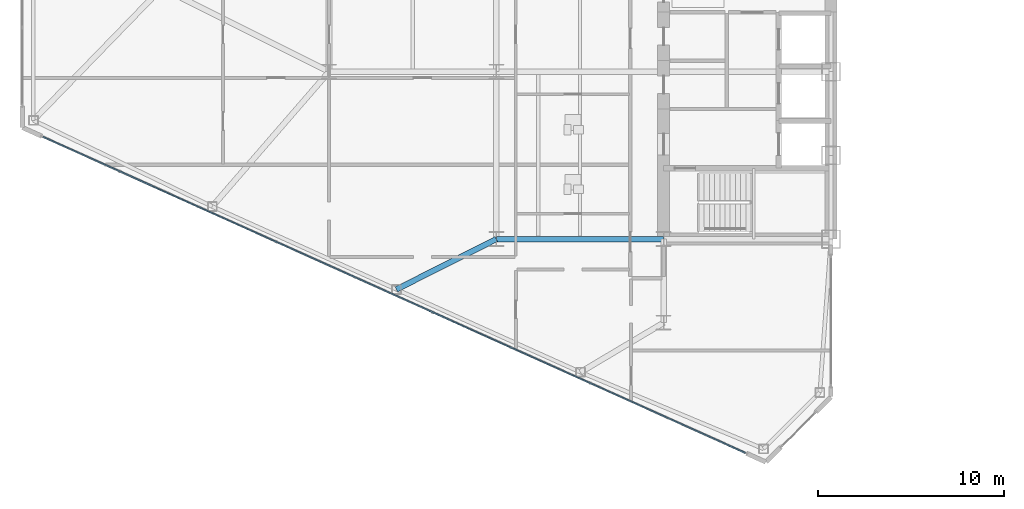
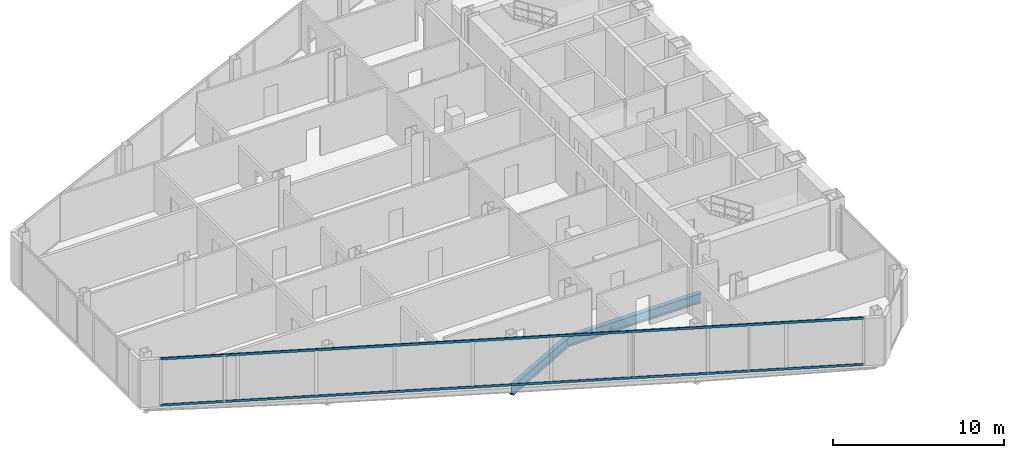
# One storey, part 4 of 27: 2 beams, 2 members, 1 element without a shape of its own.
"""IFC4 building model written with IfcOpenShell, lengths in metres."""

from ifc_helpers import new_model, si_unit, direction, frame, origin, origin_2d, place, context, subcontext, project, spatial, rectangle, i_section, extrude, source, transform, mapped, material, layer, layer_set, material_profile, profile_set, type_object, type_shapes, element, aggregate, save


model = new_model("IFC4")

# Units and contexts
model_context = context("Model", 3, precision=1e-05, world=origin(), true_north=direction((0.0, 1.0)))
body_context = subcontext(model_context, "Body", "Model", "MODEL_VIEW")
ifc_project = project(units=[si_unit("LENGTHUNIT", "METRE"), si_unit("AREAUNIT", "SQUARE_METRE"), si_unit("VOLUMEUNIT", "CUBIC_METRE"), si_unit("PLANEANGLEUNIT", "RADIAN"), si_unit("MASSUNIT", "GRAM", prefix="KILO")], contexts=[model_context])

# Site, building, storey
site_placement = place(None, origin())
site = spatial("IfcSite", under=ifc_project, at=site_placement, CompositionType="ELEMENT")
building_placement = place(site_placement, origin())
building = spatial("IfcBuilding", under=site, at=building_placement, Name="Seokmaru Belvedere", CompositionType="ELEMENT")
storey_placement = place(building_placement, frame((0.0, 0.0, 69.300048828125)))
storey = spatial("IfcBuildingStorey", under=building, at=storey_placement, Name="L18", CompositionType="ELEMENT", Elevation=69.300048828125)

# Beams
ifc_material_1 = material(Name="Steel SM355 (355 MPa)", Category="steel")
ifc_material_profile_1 = material_profile(ifc_material_1, i_section(OverallWidth=0.300048828125, OverallDepth=0.699951171875, WebThickness=0.012939453125, FlangeThickness=0.02392578125, at=origin_2d()), Name="H-700x300x13x24")
ifc_profile_set_1 = profile_set([ifc_material_profile_1], Name="Steel SM355 (355 MPa)")
beam_type = type_object("IfcBeamType", Name="Primary Floor Girder H-700", PredefinedType="BEAM", material=ifc_profile_set_1)
shared_shape_1 = source(origin(), body_context, "Body", "SweptSolid", [
    extrude(i_section(OverallWidth=0.300048828125, OverallDepth=0.699951171875, WebThickness=0.012939453125, FlangeThickness=0.02392578125, at=origin_2d()), origin(), (0.0, 0.0, 1.0), 9.0),
])
beam_1_placement = place(storey_placement, frame((-45.5, -13.5, -0.570068359375), z_axis=(1.0, 0.0, 0.0), x_axis=(0.0, 1.0, 0.0)))
element("IfcBeam", 1, at=beam_1_placement, inside=storey, type_object=beam_type, Name="L18 W Wing Primary Girder 1", PredefinedType="BEAM", context=body_context, shape_type="MappedRepresentation", body=[
    mapped(shared_shape_1, transform((0.0, 0.0, 0.0), scale=1.0)),
])
shared_shape_2 = source(origin(), body_context, "Body", "SweptSolid", [
    extrude(i_section(OverallWidth=0.300048828125, OverallDepth=0.699951171875, WebThickness=0.012939453125, FlangeThickness=0.02392578125, at=origin_2d()), origin(), (0.0, 0.0, 1.0), 6.017333984375),
])
type_shapes(beam_type, [shared_shape_1, shared_shape_2])
beam_2_placement = place(storey_placement, frame((-50.875, -16.205322265625, -0.570068359375), z_axis=(0.893239341975, 0.449581447512, 0.0), x_axis=(-0.449581447512, 0.893239341975, 0.0)))
element("IfcBeam", 2, at=beam_2_placement, inside=storey, type_object=beam_type, Name="L18 W Flank Radial Floor Girder S-2", PredefinedType="BEAM", context=body_context, shape_type="MappedRepresentation", body=[
    mapped(shared_shape_2, transform((0.0, 0.0, 0.0), scale=1.0)),
])

# Curtain wall, members
ifc_material_2 = material(Name="Bronze Triple Insulating Glass", Category="glass")
ifc_layer = layer(ifc_material_2, 0.195068359375)
ifc_layer_set = layer_set([ifc_layer], Name="Bronze Triple Insulating Glass")
curtain_wall_type = type_object("IfcCurtainWallType", Name="Lower-Mid Tapered Curtain Wall System CW-3", PredefinedType="NOTDEFINED", material=ifc_layer_set)
curtain_wall_placement = place(storey_placement, origin())
curtain_wall = element("IfcCurtainWall", 3, at=curtain_wall_placement, inside=storey, type_object=curtain_wall_type, Name="L18 Curtain Wall WF5", PredefinedType="NOTDEFINED")
ifc_material_3 = material(Name="Anodised Bronze Aluminium", Category="aluminium")
ifc_material_profile_2 = material_profile(ifc_material_3, rectangle(XDim=0.070068359375, YDim=0.1650390625, at=origin_2d()), Name="CW-T-70x165")
ifc_profile_set_2 = profile_set([ifc_material_profile_2], Name="Anodised Bronze Aluminium")
member_type = type_object("IfcMemberType", Name="Bronze Unitised Transom 70x165", PredefinedType="USERDEFINED", material=ifc_profile_set_2)
shared_shape_3 = source(origin(), body_context, "Body", "SweptSolid", [
    extrude(rectangle(XDim=0.070068359375, YDim=0.1650390625, at=origin_2d()), origin(), (0.0, 0.0, 1.0), 41.423583984375),
])
type_shapes(member_type, [shared_shape_3])
member_1_placement = place(storey_placement, frame((-69.887451171875, -8.00048828125, 0.034912109375), z_axis=(0.911918637916, -0.410371048956, 0.0), x_axis=(0.410371048956, 0.911918637916, 0.0)))
member_1 = element("IfcMember", 4, at=member_1_placement, type_object=member_type, Name="CW:L18:WF5 Continuous Transom 1", ObjectType="TRANSOM", PredefinedType="USERDEFINED", context=body_context, shape_type="MappedRepresentation", body=[
    mapped(shared_shape_3, transform((0.0, 0.0, 0.0), scale=1.0)),
])
member_2_placement = place(storey_placement, frame((-69.887451171875, -8.00048828125, 3.344970703125), z_axis=(0.911918637916, -0.410371048956, 0.0), x_axis=(0.410371048956, 0.911918637916, 0.0)))
member_2 = element("IfcMember", 5, at=member_2_placement, type_object=member_type, Name="CW:L18:WF5 Continuous Transom 2", ObjectType="TRANSOM", PredefinedType="USERDEFINED", context=body_context, shape_type="MappedRepresentation", body=[
    mapped(shared_shape_3, transform((0.0, 0.0, 0.0), scale=1.0)),
])
aggregate(curtain_wall, [member_1, member_2])

save(model, "model.ifc")
